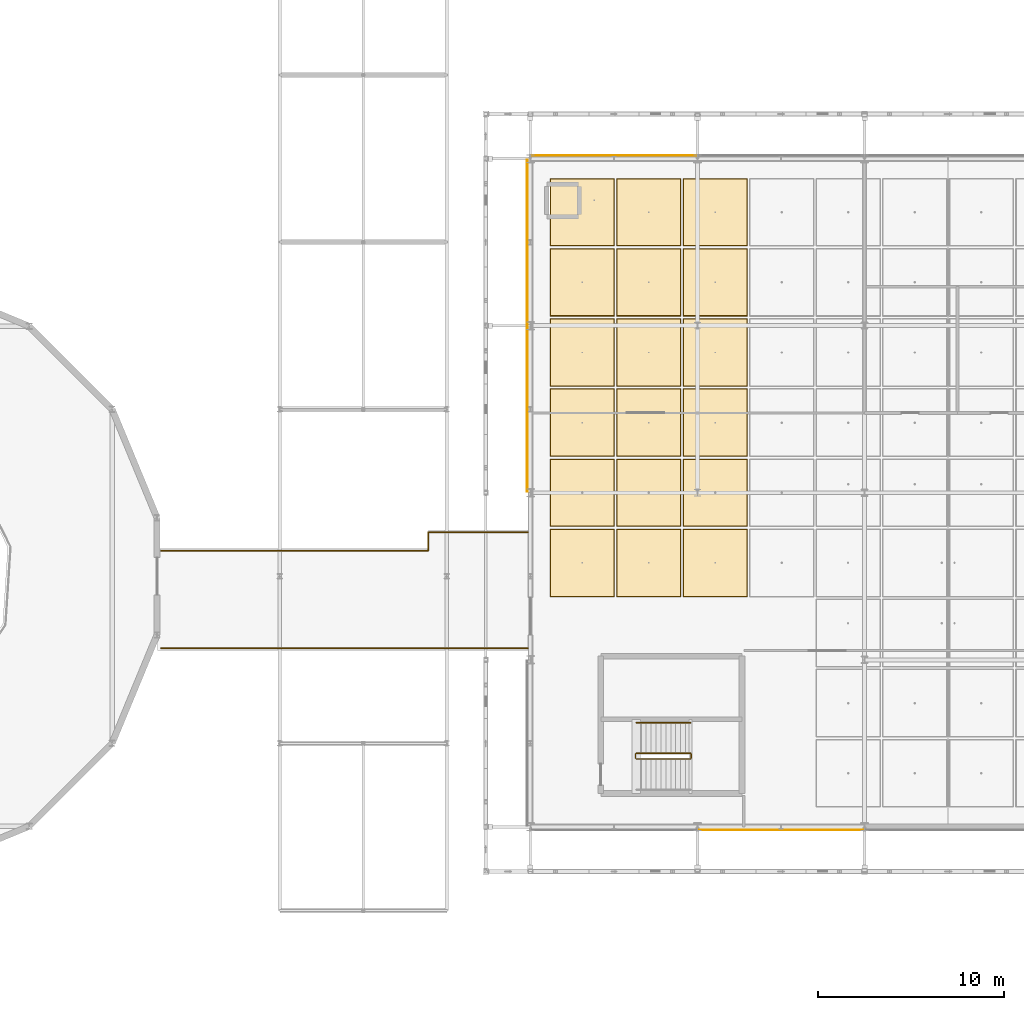
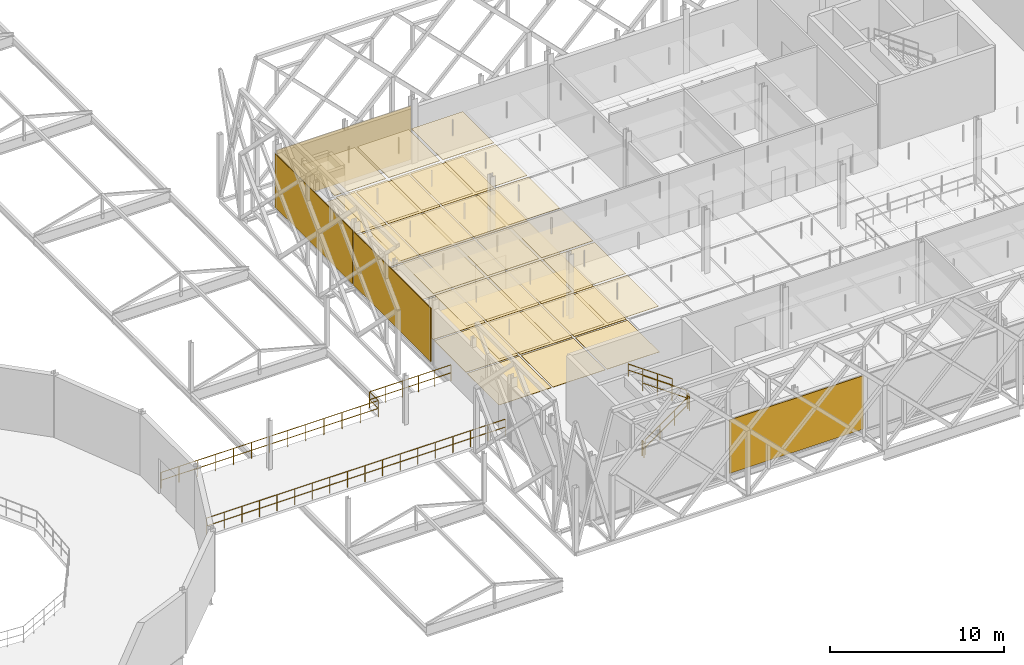
# One storey, part 129 of 140: 40 coverings, 7 railings.
"""IFC4 building model written with IfcOpenShell, lengths in metres."""

from ifc_helpers import new_model, si_unit, direction, frame, origin, origin_2d, place, context, subcontext, project, spatial, rectangle, circle, extrude, material, layer, layer_set, type_object, element, save


model = new_model("IFC4")

# Units and contexts
model_context = context("Model", 3, precision=1e-05, world=origin(), true_north=direction((0.0, 1.0)))
body_context = subcontext(model_context, "Body", "Model", "MODEL_VIEW")
ifc_project = project(units=[si_unit("LENGTHUNIT", "METRE"), si_unit("AREAUNIT", "SQUARE_METRE"), si_unit("VOLUMEUNIT", "CUBIC_METRE"), si_unit("PLANEANGLEUNIT", "RADIAN"), si_unit("MASSUNIT", "GRAM", prefix="KILO"), si_unit("THERMODYNAMICTEMPERATUREUNIT", "KELVIN"), si_unit("POWERUNIT", "WATT")], contexts=[model_context])

# Site, building, storey
site_placement = place(None, origin())
site = spatial("IfcSite", under=ifc_project, at=site_placement, CompositionType="ELEMENT")
building_placement = place(site_placement, origin())
building = spatial("IfcBuilding", under=site, at=building_placement, Name="Tallowbark Science Centre", CompositionType="ELEMENT")
storey_placement = place(building_placement, frame((0.0, 0.0, 9.89990234375)))
storey = spatial("IfcBuildingStorey", under=building, at=storey_placement, Name="L02", CompositionType="ELEMENT", Elevation=9.89990234375)

# Coverings
ifc_material_1 = material(Name="Perforated Spotted Gum Acoustic Baffle Ceiling", Category="wood")
ifc_layer_1 = layer(ifc_material_1, 0.02490234375)
ifc_layer_set_1 = layer_set([ifc_layer_1], Name="Perforated Spotted Gum Acoustic Baffle Ceiling")
covering_type_1 = type_object("IfcCoveringType", Name="CLG-TIM-25", PredefinedType="CEILING", material=ifc_layer_set_1)
for number, where, z_axis, x_axis, name in (
    (1, (61.291748046875, 18.72216796875, 3.187744140625), (0.0, 0.0, 1.0), (1.0, 0.0, 0.0), "Suspended Ceiling L02-768"),
    (2, (61.291748046875, 22.5, 3.187744140625), (0.0, 0.0, 1.0), (1.0, 0.0, 0.0), "Suspended Ceiling L02-769"),
    (3, (61.291748046875, 26.27783203125, 3.187744140625), (0.0, 0.0, 1.0), (1.0, 0.0, 0.0), "Suspended Ceiling L02-770"),
    (4, (61.291748046875, 30.0556640625, 3.187744140625), (0.0, 0.0, 1.0), (1.0, 0.0, 0.0), "Suspended Ceiling L02-771"),
    (5, (61.291748046875, 33.833251953125, 3.187744140625), (0.0, 0.0, 1.0), (1.0, 0.0, 0.0), "Suspended Ceiling L02-772"),
    (6, (61.291748046875, 37.611083984375, 3.187744140625), (0.0, 0.0, 1.0), (1.0, 0.0, 0.0), "Suspended Ceiling L02-773"),
    (7, (64.875, 18.72216796875, 3.187744140625), (0.0, 0.0, 1.0), (1.0, 0.0, 0.0), "Suspended Ceiling L02-774"),
    (8, (64.875, 22.5, 3.187744140625), (0.0, 0.0, 1.0), (1.0, 0.0, 0.0), "Suspended Ceiling L02-775"),
    (9, (64.875, 26.27783203125, 3.187744140625), (0.0, 0.0, 1.0), (1.0, 0.0, 0.0), "Suspended Ceiling L02-776"),
    (10, (64.875, 30.0556640625, 3.187744140625), (0.0, 0.0, 1.0), (1.0, 0.0, 0.0), "Suspended Ceiling L02-777"),
    (11, (64.875, 33.833251953125, 3.187744140625), (0.0, 0.0, 1.0), (1.0, 0.0, 0.0), "Suspended Ceiling L02-778"),
    (12, (64.875, 37.611083984375, 3.187744140625), (0.0, 0.0, 1.0), (1.0, 0.0, 0.0), "Suspended Ceiling L02-779"),
    (13, (68.458251953125, 18.72216796875, 3.187744140625), (0.0, 0.0, 1.0), (1.0, 0.0, 0.0), "Suspended Ceiling L02-780"),
    (14, (68.458251953125, 22.5, 3.187744140625), (0.0, 0.0, 1.0), (1.0, 0.0, 0.0), "Suspended Ceiling L02-781"),
    (15, (68.458251953125, 26.27783203125, 3.187744140625), (0.0, 0.0, 1.0), (1.0, 0.0, 0.0), "Suspended Ceiling L02-782"),
    (16, (68.458251953125, 30.0556640625, 3.187744140625), (0.0, 0.0, 1.0), (1.0, 0.0, 0.0), "Suspended Ceiling L02-783"),
    (17, (68.458251953125, 33.833251953125, 3.187744140625), (0.0, 0.0, 1.0), (1.0, 0.0, 0.0), "Suspended Ceiling L02-784"),
    (18, (68.458251953125, 37.611083984375, 3.187744140625), (0.0, 0.0, 1.0), (1.0, 0.0, 0.0), "Suspended Ceiling L02-785"),
):
    element("IfcCovering", number, at=place(storey_placement, frame(where, z_axis=z_axis, x_axis=x_axis)), inside=storey, type_object=covering_type_1, Name=name, PredefinedType="CEILING", context=body_context, shape_type="SweptSolid", body=[
        extrude(rectangle(XDim=3.4033203125, YDim=3.597900390625, at=origin_2d()), origin(), (0.0, 0.0, 1.0), 0.02490234375),
    ])
ifc_material_2 = material(Name="Spotted Gum Hardwood Architectural Rainscreen", Category="wood")
ifc_layer_2 = layer(ifc_material_2, 0.0419921875)
ifc_layer_set_2 = layer_set([ifc_layer_2], Name="Spotted Gum Hardwood Architectural Rainscreen")
covering_type_2 = type_object("IfcCoveringType", Name="COV-TIM-CLAD", PredefinedType="CLADDING", material=ifc_layer_set_2)
for number, where, z_axis, x_axis, name in (
    (19, (63.0, 40.66845703125, 0.050048828125), (0.0, 0.0, 1.0), (-1.0, 0.0, 0.0), "Architectural Rainscreen CUB-N-L02-0"),
    (20, (72.0, 4.33154296875, 0.050048828125), (0.0, 0.0, 1.0), (1.0, 0.0, 0.0), "Architectural Rainscreen CUB-S-L02-1"),
    (21, (58.33154296875, 27.0, 0.050048828125), (0.0, 0.0, 1.0), (0.0, -1.0, 0.0), "Architectural Rainscreen CUB-W-L02-2"),
    (22, (58.33154296875, 36.0, 0.050048828125), (0.0, 0.0, 1.0), (0.0, -1.0, 0.0), "Architectural Rainscreen CUB-W-L02-3"),
):
    element("IfcCovering", number, at=place(storey_placement, frame(where, z_axis=z_axis, x_axis=x_axis)), inside=storey, type_object=covering_type_2, Name=name, PredefinedType="CLADDING", context=body_context, shape_type="SweptSolid", body=[
        extrude(rectangle(XDim=8.8798828125, YDim=0.0419921875, at=origin_2d()), origin(), (0.0, 0.0, 1.0), 3.74609375),
    ])
ifc_material_3 = material(Name="Engineered Blackbutt Gallery Timber Flooring", Category="wood")
ifc_layer_3 = layer(ifc_material_3, 0.02197265625)
ifc_layer_set_3 = layer_set([ifc_layer_3], Name="Engineered Blackbutt Gallery Timber Flooring")
covering_type_3 = type_object("IfcCoveringType", Name="FLR-TIM-22", PredefinedType="FLOORING", material=ifc_layer_set_3)
for number, where, z_axis, x_axis, name in (
    (23, (61.291748046875, 18.72216796875, 0.0), (0.0, 0.0, 1.0), (1.0, 0.0, 0.0), "Floor Finish L02-768"),
    (24, (61.291748046875, 22.5, 0.0), (0.0, 0.0, 1.0), (1.0, 0.0, 0.0), "Floor Finish L02-769"),
    (25, (61.291748046875, 26.27783203125, 0.0), (0.0, 0.0, 1.0), (1.0, 0.0, 0.0), "Floor Finish L02-770"),
    (26, (61.291748046875, 30.0556640625, 0.0), (0.0, 0.0, 1.0), (1.0, 0.0, 0.0), "Floor Finish L02-771"),
    (27, (61.291748046875, 33.833251953125, 0.0), (0.0, 0.0, 1.0), (1.0, 0.0, 0.0), "Floor Finish L02-772"),
    (28, (61.291748046875, 37.611083984375, 0.0), (0.0, 0.0, 1.0), (1.0, 0.0, 0.0), "Floor Finish L02-773"),
    (29, (64.875, 18.72216796875, 0.0), (0.0, 0.0, 1.0), (1.0, 0.0, 0.0), "Floor Finish L02-774"),
    (30, (64.875, 22.5, 0.0), (0.0, 0.0, 1.0), (1.0, 0.0, 0.0), "Floor Finish L02-775"),
    (31, (64.875, 26.27783203125, 0.0), (0.0, 0.0, 1.0), (1.0, 0.0, 0.0), "Floor Finish L02-776"),
    (32, (64.875, 30.0556640625, 0.0), (0.0, 0.0, 1.0), (1.0, 0.0, 0.0), "Floor Finish L02-777"),
    (33, (64.875, 33.833251953125, 0.0), (0.0, 0.0, 1.0), (1.0, 0.0, 0.0), "Floor Finish L02-778"),
    (34, (64.875, 37.611083984375, 0.0), (0.0, 0.0, 1.0), (1.0, 0.0, 0.0), "Floor Finish L02-779"),
    (35, (68.458251953125, 18.72216796875, 0.0), (0.0, 0.0, 1.0), (1.0, 0.0, 0.0), "Floor Finish L02-780"),
    (36, (68.458251953125, 22.5, 0.0), (0.0, 0.0, 1.0), (1.0, 0.0, 0.0), "Floor Finish L02-781"),
    (37, (68.458251953125, 26.27783203125, 0.0), (0.0, 0.0, 1.0), (1.0, 0.0, 0.0), "Floor Finish L02-782"),
    (38, (68.458251953125, 30.0556640625, 0.0), (0.0, 0.0, 1.0), (1.0, 0.0, 0.0), "Floor Finish L02-783"),
    (39, (68.458251953125, 33.833251953125, 0.0), (0.0, 0.0, 1.0), (1.0, 0.0, 0.0), "Floor Finish L02-784"),
    (40, (68.458251953125, 37.611083984375, 0.0), (0.0, 0.0, 1.0), (1.0, 0.0, 0.0), "Floor Finish L02-785"),
):
    element("IfcCovering", number, at=place(storey_placement, frame(where, z_axis=z_axis, x_axis=x_axis)), inside=storey, type_object=covering_type_3, Name=name, PredefinedType="FLOORING", context=body_context, shape_type="SweptSolid", body=[
        extrude(rectangle(XDim=3.46337890625, YDim=3.65771484375, at=origin_2d()), origin(), (0.0, 0.0, 1.0), 0.02197265625),
    ])

# Railings
ifc_material_4 = material(Name="Galvanised Painted Steel and Laminated Glass Balustrade", Category="steel")
ifc_layer_4 = layer(ifc_material_4, 0.070068359375)
ifc_layer_set_4 = layer_set([ifc_layer_4], Name="Galvanised Painted Steel and Laminated Glass Balustrade")
railing_type_1 = type_object("IfcRailingType", Name="RLG-BAL-1150", PredefinedType="BALUSTRADE", material=ifc_layer_set_4)
railing_1_placement = place(storey_placement, frame((38.60009765625, 14.1201171875, 0.0)))
element("IfcRailing", 41, at=railing_1_placement, inside=storey, type_object=railing_type_1, Name="Guardrail GD-BRG-L02-S", PredefinedType="BALUSTRADE", context=body_context, shape_type="SweptSolid", body=[
    extrude(circle(Radius=0.02392578125, at=origin_2d()), frame((0.0, 0.0, 1.1259765625), z_axis=(1.0, 0.0, 0.0), x_axis=(0.0, 1.0, 0.0)), (0.0, 0.0, 1.0), 19.7998046875),
    extrude(circle(Radius=0.02392578125, at=origin_2d()), frame((0.0, 0.0, 0.574951171875), z_axis=(1.0, 0.0, 0.0), x_axis=(0.0, 1.0, 0.0)), (0.0, 0.0, 1.0), 19.7998046875),
    extrude(circle(Radius=0.02099609375, at=origin_2d()), origin(), (0.0, 0.0, 1.0), 1.101806640625),
    extrude(circle(Radius=0.02099609375, at=origin_2d()), frame((1.164794921875, 0.0, 0.0)), (0.0, 0.0, 1.0), 1.101806640625),
    extrude(circle(Radius=0.02099609375, at=origin_2d()), frame((2.329345703125, 0.0, 0.0)), (0.0, 0.0, 1.0), 1.101806640625),
    extrude(circle(Radius=0.02099609375, at=origin_2d()), frame((3.494140625, 0.0, 0.0)), (0.0, 0.0, 1.0), 1.101806640625),
    extrude(circle(Radius=0.02099609375, at=origin_2d()), frame((4.65869140625, 0.0, 0.0)), (0.0, 0.0, 1.0), 1.101806640625),
    extrude(circle(Radius=0.02099609375, at=origin_2d()), frame((5.823486328125, 0.0, 0.0)), (0.0, 0.0, 1.0), 1.101806640625),
    extrude(circle(Radius=0.02099609375, at=origin_2d()), frame((6.98828125, 0.0, 0.0)), (0.0, 0.0, 1.0), 1.101806640625),
    extrude(circle(Radius=0.02099609375, at=origin_2d()), frame((8.15283203125, 0.0, 0.0)), (0.0, 0.0, 1.0), 1.101806640625),
    extrude(circle(Radius=0.02099609375, at=origin_2d()), frame((9.317626953125, 0.0, 0.0)), (0.0, 0.0, 1.0), 1.101806640625),
    extrude(circle(Radius=0.02099609375, at=origin_2d()), frame((10.482177734375, 0.0, 0.0)), (0.0, 0.0, 1.0), 1.101806640625),
    extrude(circle(Radius=0.02099609375, at=origin_2d()), frame((11.64697265625, 0.0, 0.0)), (0.0, 0.0, 1.0), 1.101806640625),
    extrude(circle(Radius=0.02099609375, at=origin_2d()), frame((12.8115234375, 0.0, 0.0)), (0.0, 0.0, 1.0), 1.101806640625),
    extrude(circle(Radius=0.02099609375, at=origin_2d()), frame((13.976318359375, 0.0, 0.0)), (0.0, 0.0, 1.0), 1.101806640625),
    extrude(circle(Radius=0.02099609375, at=origin_2d()), frame((15.14111328125, 0.0, 0.0)), (0.0, 0.0, 1.0), 1.101806640625),
    extrude(circle(Radius=0.02099609375, at=origin_2d()), frame((16.3056640625, 0.0, 0.0)), (0.0, 0.0, 1.0), 1.101806640625),
    extrude(circle(Radius=0.02099609375, at=origin_2d()), frame((17.470458984375, 0.0, 0.0)), (0.0, 0.0, 1.0), 1.101806640625),
    extrude(circle(Radius=0.02099609375, at=origin_2d()), frame((18.635009765625, 0.0, 0.0)), (0.0, 0.0, 1.0), 1.101806640625),
    extrude(circle(Radius=0.02099609375, at=origin_2d()), frame((19.7998046875, 0.0, 0.0)), (0.0, 0.0, 1.0), 1.101806640625),
])
railing_2_placement = place(storey_placement, frame((38.60009765625, 19.3798828125, 0.0)))
element("IfcRailing", 42, at=railing_2_placement, inside=storey, type_object=railing_type_1, Name="Guardrail GD-BRG-L02-N", PredefinedType="BALUSTRADE", context=body_context, shape_type="SweptSolid", body=[
    extrude(circle(Radius=0.02392578125, at=origin_2d()), frame((0.0, 0.0, 1.1259765625), z_axis=(1.0, 0.0, 0.0), x_axis=(0.0, 1.0, 0.0)), (0.0, 0.0, 1.0), 14.39990234375),
    extrude(circle(Radius=0.02392578125, at=origin_2d()), frame((0.0, 0.0, 0.574951171875), z_axis=(1.0, 0.0, 0.0), x_axis=(0.0, 1.0, 0.0)), (0.0, 0.0, 1.0), 14.39990234375),
    extrude(circle(Radius=0.02392578125, at=origin_2d()), frame((14.39990234375, 0.0, 1.1259765625), z_axis=(0.0, 1.0, 0.0), x_axis=(-1.0, 0.0, 0.0)), (0.0, 0.0, 1.0), 1.0),
    extrude(circle(Radius=0.02392578125, at=origin_2d()), frame((14.39990234375, 0.0, 0.574951171875), z_axis=(0.0, 1.0, 0.0), x_axis=(-1.0, 0.0, 0.0)), (0.0, 0.0, 1.0), 1.0),
    extrude(circle(Radius=0.02392578125, at=origin_2d()), frame((14.39990234375, 1.0, 1.1259765625), z_axis=(1.0, 0.0, 0.0), x_axis=(0.0, 1.0, 0.0)), (0.0, 0.0, 1.0), 5.39990234375),
    extrude(circle(Radius=0.02392578125, at=origin_2d()), frame((14.39990234375, 1.0, 0.574951171875), z_axis=(1.0, 0.0, 0.0), x_axis=(0.0, 1.0, 0.0)), (0.0, 0.0, 1.0), 5.39990234375),
    extrude(circle(Radius=0.02099609375, at=origin_2d()), origin(), (0.0, 0.0, 1.0), 1.101806640625),
    extrude(circle(Radius=0.02099609375, at=origin_2d()), frame((1.199951171875, 0.0, 0.0)), (0.0, 0.0, 1.0), 1.101806640625),
    extrude(circle(Radius=0.02099609375, at=origin_2d()), frame((2.39990234375, 0.0, 0.0)), (0.0, 0.0, 1.0), 1.101806640625),
    extrude(circle(Radius=0.02099609375, at=origin_2d()), frame((3.60009765625, 0.0, 0.0)), (0.0, 0.0, 1.0), 1.101806640625),
    extrude(circle(Radius=0.02099609375, at=origin_2d()), frame((4.800048828125, 0.0, 0.0)), (0.0, 0.0, 1.0), 1.101806640625),
    extrude(circle(Radius=0.02099609375, at=origin_2d()), frame((6.0, 0.0, 0.0)), (0.0, 0.0, 1.0), 1.101806640625),
    extrude(circle(Radius=0.02099609375, at=origin_2d()), frame((7.199951171875, 0.0, 0.0)), (0.0, 0.0, 1.0), 1.101806640625),
    extrude(circle(Radius=0.02099609375, at=origin_2d()), frame((8.39990234375, 0.0, 0.0)), (0.0, 0.0, 1.0), 1.101806640625),
    extrude(circle(Radius=0.02099609375, at=origin_2d()), frame((9.599853515625, 0.0, 0.0)), (0.0, 0.0, 1.0), 1.101806640625),
    extrude(circle(Radius=0.02099609375, at=origin_2d()), frame((10.7998046875, 0.0, 0.0)), (0.0, 0.0, 1.0), 1.101806640625),
    extrude(circle(Radius=0.02099609375, at=origin_2d()), frame((12.0, 0.0, 0.0)), (0.0, 0.0, 1.0), 1.101806640625),
    extrude(circle(Radius=0.02099609375, at=origin_2d()), frame((13.199951171875, 0.0, 0.0)), (0.0, 0.0, 1.0), 1.101806640625),
    extrude(circle(Radius=0.02099609375, at=origin_2d()), frame((14.39990234375, 0.0, 0.0)), (0.0, 0.0, 1.0), 1.101806640625),
    extrude(circle(Radius=0.02099609375, at=origin_2d()), frame((14.39990234375, 1.0, 0.0)), (0.0, 0.0, 1.0), 1.101806640625),
    extrude(circle(Radius=0.02099609375, at=origin_2d()), frame((15.47998046875, 1.0, 0.0)), (0.0, 0.0, 1.0), 1.101806640625),
    extrude(circle(Radius=0.02099609375, at=origin_2d()), frame((16.559814453125, 1.0, 0.0)), (0.0, 0.0, 1.0), 1.101806640625),
    extrude(circle(Radius=0.02099609375, at=origin_2d()), frame((17.639892578125, 1.0, 0.0)), (0.0, 0.0, 1.0), 1.101806640625),
    extrude(circle(Radius=0.02099609375, at=origin_2d()), frame((18.7197265625, 1.0, 0.0)), (0.0, 0.0, 1.0), 1.101806640625),
    extrude(circle(Radius=0.02099609375, at=origin_2d()), frame((19.7998046875, 1.0, 0.0)), (0.0, 0.0, 1.0), 1.101806640625),
])
railing_3_placement = place(storey_placement, frame((64.2099609375, 8.159912109375, 0.1875)))
element("IfcRailing", 43, at=railing_3_placement, inside=storey, type_object=railing_type_1, Name="L02 ST-07 stair guard 1", PredefinedType="BALUSTRADE", context=body_context, shape_type="SweptSolid", body=[
    extrude(circle(Radius=0.02392578125, at=origin_2d()), frame((0.0, 0.0, 1.076171875), z_axis=(0.816330724661, 0.0, 0.577584753931), x_axis=(0.0, 1.0, 0.0)), (0.0, 0.0, 1.0), 3.57080078125),
    extrude(circle(Radius=0.02392578125, at=origin_2d()), frame((0.0, 0.0, 0.550048828125), z_axis=(0.816330724661, 0.0, 0.577584753931), x_axis=(0.0, 1.0, 0.0)), (0.0, 0.0, 1.0), 3.57080078125),
    extrude(circle(Radius=0.02099609375, at=origin_2d()), origin(), (0.0, 0.0, 1.0), 1.052001953125),
    extrude(circle(Radius=0.02099609375, at=origin_2d()), frame((0.9716796875, 0.0, 0.6875)), (0.0, 0.0, 1.0), 1.052001953125),
    extrude(circle(Radius=0.02099609375, at=origin_2d()), frame((1.943359375, 0.0, 1.375)), (0.0, 0.0, 1.0), 1.052001953125),
    extrude(circle(Radius=0.02099609375, at=origin_2d()), frame((2.9150390625, 0.0, 2.0625)), (0.0, 0.0, 1.0), 1.052001953125),
])
railing_4_placement = place(storey_placement, frame((67.175048828125, 8.2099609375, 2.25)))
element("IfcRailing", 44, at=railing_4_placement, inside=storey, type_object=railing_type_1, Name="L02 ST-07 stair guard 2", PredefinedType="BALUSTRADE", context=body_context, shape_type="SweptSolid", body=[
    extrude(circle(Radius=0.02392578125, at=origin_2d()), frame((0.0, 0.0, 1.076171875), z_axis=(0.0, 1.0, 0.0), x_axis=(-1.0, 0.0, 0.0)), (0.0, 0.0, 1.0), 0.199951171875),
    extrude(circle(Radius=0.02392578125, at=origin_2d()), frame((0.0, 0.0, 0.550048828125), z_axis=(0.0, 1.0, 0.0), x_axis=(-1.0, 0.0, 0.0)), (0.0, 0.0, 1.0), 0.199951171875),
    extrude(circle(Radius=0.02099609375, at=origin_2d()), origin(), (0.0, 0.0, 1.0), 1.052001953125),
    extrude(circle(Radius=0.02099609375, at=origin_2d()), frame((0.0, 0.199951171875, 0.0)), (0.0, 0.0, 1.0), 1.052001953125),
])
railing_5_placement = place(storey_placement, frame((67.125, 8.4599609375, 2.4375)))
element("IfcRailing", 45, at=railing_5_placement, inside=storey, type_object=railing_type_1, Name="L02 ST-07 stair guard 3", PredefinedType="BALUSTRADE", context=body_context, shape_type="SweptSolid", body=[
    extrude(circle(Radius=0.02392578125, at=origin_2d()), frame((0.0, 0.0, 1.076171875), z_axis=(-0.816330724661, 0.0, 0.577584753931), x_axis=(0.0, -1.0, 0.0)), (0.0, 0.0, 1.0), 3.57080078125),
    extrude(circle(Radius=0.02392578125, at=origin_2d()), frame((0.0, 0.0, 0.550048828125), z_axis=(-0.816330724661, 0.0, 0.577584753931), x_axis=(0.0, -1.0, 0.0)), (0.0, 0.0, 1.0), 3.57080078125),
    extrude(circle(Radius=0.02099609375, at=origin_2d()), origin(), (0.0, 0.0, 1.0), 1.052001953125),
    extrude(circle(Radius=0.02099609375, at=origin_2d()), frame((-0.9716796875, 0.0, 0.6875)), (0.0, 0.0, 1.0), 1.052001953125),
    extrude(circle(Radius=0.02099609375, at=origin_2d()), frame((-1.943359375, 0.0, 1.375)), (0.0, 0.0, 1.0), 1.052001953125),
    extrude(circle(Radius=0.02099609375, at=origin_2d()), frame((-2.9150390625, 0.0, 2.0625)), (0.0, 0.0, 1.0), 1.052001953125),
])
railing_6_placement = place(storey_placement, frame((64.159912109375, 8.2099609375, 0.0)))
element("IfcRailing", 46, at=railing_6_placement, inside=storey, type_object=railing_type_1, Name="L02 ST-07 stair guard 4", PredefinedType="BALUSTRADE", context=body_context, shape_type="SweptSolid", body=[
    extrude(circle(Radius=0.02392578125, at=origin_2d()), frame((0.0, 0.0, 1.076171875), z_axis=(0.0, 1.0, 0.0), x_axis=(-1.0, 0.0, 0.0)), (0.0, 0.0, 1.0), 0.199951171875),
    extrude(circle(Radius=0.02392578125, at=origin_2d()), frame((0.0, 0.0, 0.550048828125), z_axis=(0.0, 1.0, 0.0), x_axis=(-1.0, 0.0, 0.0)), (0.0, 0.0, 1.0), 0.199951171875),
    extrude(circle(Radius=0.02099609375, at=origin_2d()), origin(), (0.0, 0.0, 1.0), 1.052001953125),
    extrude(circle(Radius=0.02099609375, at=origin_2d()), frame((0.0, 0.199951171875, 0.0)), (0.0, 0.0, 1.0), 1.052001953125),
])
ifc_material_5 = material(Name="Brushed Grade 316 Stainless Steel Handrail", Category="steel")
ifc_layer_5 = layer(ifc_material_5, 0.050048828125)
ifc_layer_set_5 = layer_set([ifc_layer_5], Name="Brushed Grade 316 Stainless Steel Handrail")
railing_type_2 = type_object("IfcRailingType", Name="RLG-HDR-950", PredefinedType="HANDRAIL", material=ifc_layer_set_5)
railing_7_placement = place(storey_placement, frame((67.125, 10.1201171875, 2.4375)))
element("IfcRailing", 47, at=railing_7_placement, inside=storey, type_object=railing_type_2, Name="L02 ST-07 stair handrail 2", PredefinedType="HANDRAIL", context=body_context, shape_type="SweptSolid", body=[
    extrude(circle(Radius=0.02392578125, at=origin_2d()), frame((0.0, 0.0, 0.8759765625), z_axis=(-0.816330724661, 0.0, 0.577584753931), x_axis=(0.0, -1.0, 0.0)), (0.0, 0.0, 1.0), 3.57080078125),
    extrude(circle(Radius=0.02392578125, at=origin_2d()), frame((0.0, 0.0, 0.449951171875), z_axis=(-0.816330724661, 0.0, 0.577584753931), x_axis=(0.0, -1.0, 0.0)), (0.0, 0.0, 1.0), 3.57080078125),
    extrude(circle(Radius=0.02099609375, at=origin_2d()), origin(), (0.0, 0.0, 1.0), 0.851806640625),
    extrude(circle(Radius=0.02099609375, at=origin_2d()), frame((-0.9716796875, 0.0, 0.6875)), (0.0, 0.0, 1.0), 0.851806640625),
    extrude(circle(Radius=0.02099609375, at=origin_2d()), frame((-1.943359375, 0.0, 1.375)), (0.0, 0.0, 1.0), 0.851806640625),
    extrude(circle(Radius=0.02099609375, at=origin_2d()), frame((-2.9150390625, 0.0, 2.0625)), (0.0, 0.0, 1.0), 0.851806640625),
])

save(model, "model.ifc")
